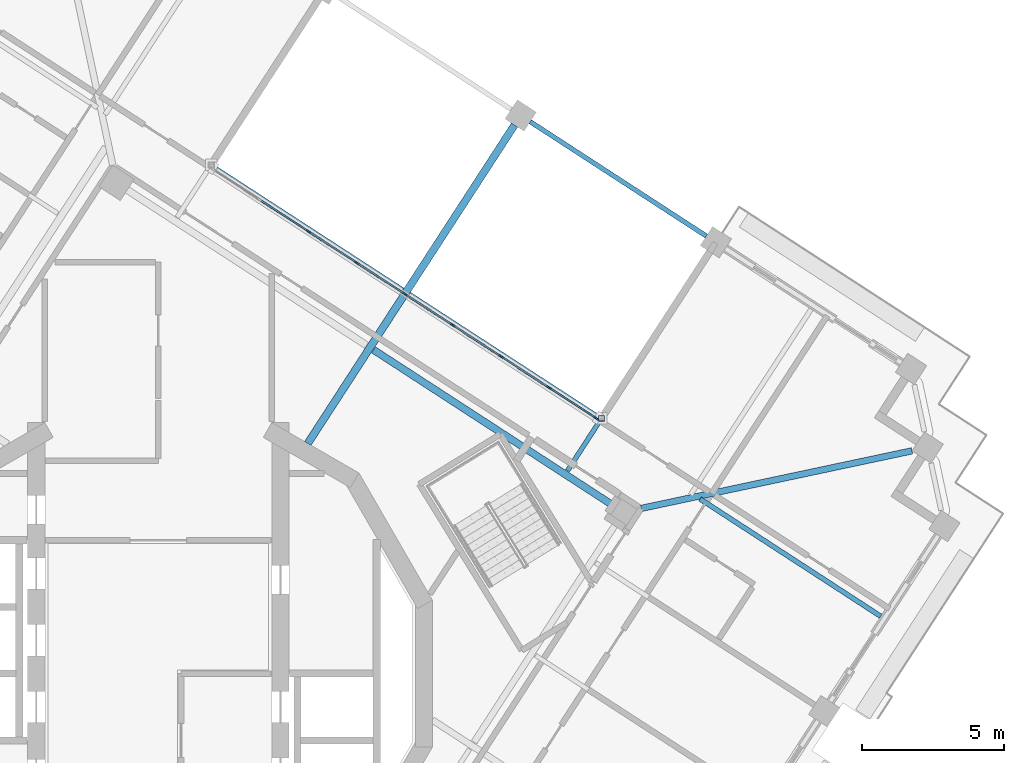
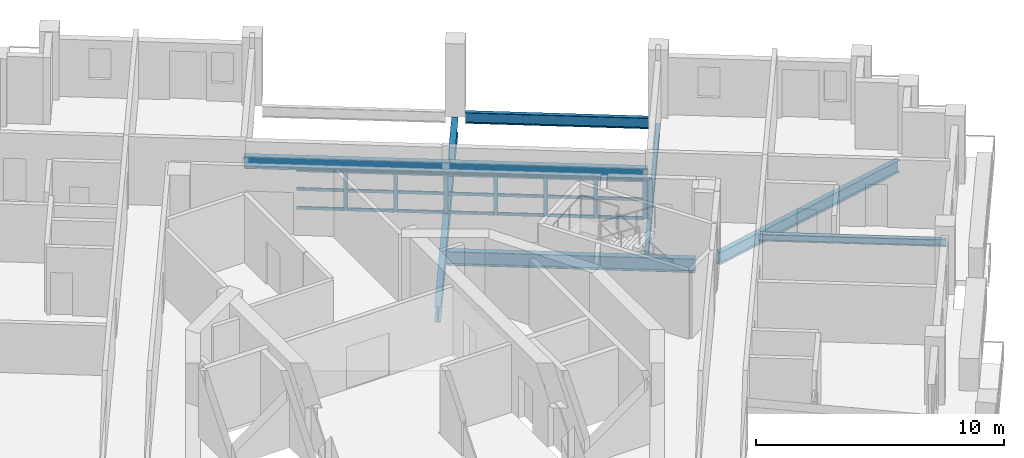
# One storey, part 3 of 17: 29 members, 7 beams, 1 element without a shape of its own.
"""IFC4 building model written with IfcOpenShell, lengths in metres."""

from ifc_helpers import new_model, si_unit, direction, frame, origin, origin_2d, place, context, subcontext, project, spatial, rectangle, hollow_rectangle, i_section, extrude, material, material_profile, profile_set, type_object, element, aggregate, save


model = new_model("IFC4")

# Units and contexts
model_context = context("Model", 3, precision=1e-05, world=origin(), true_north=direction((0.0, 1.0)))
body_context = subcontext(model_context, "Body", "Model", "MODEL_VIEW")
ifc_project = project(units=[si_unit("LENGTHUNIT", "METRE"), si_unit("AREAUNIT", "SQUARE_METRE"), si_unit("VOLUMEUNIT", "CUBIC_METRE"), si_unit("PLANEANGLEUNIT", "RADIAN"), si_unit("MASSUNIT", "GRAM", prefix="KILO")], contexts=[model_context])

# Site, building, storey
site_placement = place(None, origin())
site = spatial("IfcSite", under=ifc_project, at=site_placement, CompositionType="ELEMENT")
building_placement = place(site_placement, origin())
building = spatial("IfcBuilding", under=site, at=building_placement, Name="Cantera Rosa Tower", CompositionType="ELEMENT")
storey_placement = place(building_placement, frame((0.0, 0.0, 275.699951171875)))
storey = spatial("IfcBuildingStorey", under=building, at=storey_placement, Name="L62", CompositionType="ELEMENT", Elevation=275.699951171875)

# Curtain wall, members
ifc_material_1 = material(Name="Aluminium frame with clear glass", Category="aluminium")
curtain_wall_type = type_object("IfcCurtainWallType", Name="CW1 TERRACE POCKET GLAZING", PredefinedType="NOTDEFINED", material=ifc_material_1)
curtain_wall_placement = place(storey_placement, origin())
curtain_wall = element("IfcCurtainWall", 1, at=curtain_wall_placement, inside=storey, type_object=curtain_wall_type, Name="CW1 CW1", PredefinedType="NOTDEFINED")
ifc_material_2 = material(Name="Anodised bronze aluminium", Category="aluminium")
ifc_material_profile_1 = material_profile(ifc_material_2, rectangle(XDim=0.06005859375, YDim=0.179931640625, at=origin_2d()), Name="CW-MULLION 60x180 POCKET")
ifc_profile_set_1 = profile_set([ifc_material_profile_1], Name="Anodised bronze aluminium")
member_type_1 = type_object("IfcMemberType", Name="CW-MULLION 60x180 POCKET", PredefinedType="MULLION", material=ifc_profile_set_1)
member_1_placement = place(storey_placement, frame((15.43408203125, 8.9951171875, 0.0), z_axis=(0.0, 0.0, 1.0), x_axis=(-0.544639034971, -0.838670567974, 0.0)))
member_1 = element("IfcMember", 2, at=member_1_placement, type_object=member_type_1, Name="CW1 mullion 1", PredefinedType="MULLION", context=body_context, shape_type="SweptSolid", body=[
    extrude(rectangle(XDim=0.06005859375, YDim=0.179931640625, at=origin_2d()), origin(), (0.0, 0.0, 1.0), 1.912109375),
])
member_2_placement = place(storey_placement, frame((13.76611328125, 10.078369140625, 0.0), z_axis=(0.0, 0.0, 1.0), x_axis=(-0.544639034971, -0.838670567974, 0.0)))
member_2 = element("IfcMember", 3, at=member_2_placement, type_object=member_type_1, Name="CW1 mullion 2", PredefinedType="MULLION", context=body_context, shape_type="SweptSolid", body=[
    extrude(rectangle(XDim=0.06005859375, YDim=0.179931640625, at=origin_2d()), origin(), (0.0, 0.0, 1.0), 1.912109375),
])
member_3_placement = place(storey_placement, frame((12.0732421875, 11.177734375, 0.0), z_axis=(0.0, 0.0, 1.0), x_axis=(-0.544639034971, -0.838670567974, 0.0)))
member_3 = element("IfcMember", 4, at=member_3_placement, type_object=member_type_1, Name="CW1 mullion 3", PredefinedType="MULLION", context=body_context, shape_type="SweptSolid", body=[
    extrude(rectangle(XDim=0.06005859375, YDim=0.179931640625, at=origin_2d()), origin(), (0.0, 0.0, 1.0), 1.912109375),
])
member_4_placement = place(storey_placement, frame((10.380126953125, 12.27734375, 0.0), z_axis=(0.0, 0.0, 1.0), x_axis=(-0.544639034971, -0.838670567974, 0.0)))
member_4 = element("IfcMember", 5, at=member_4_placement, type_object=member_type_1, Name="CW1 mullion 4", PredefinedType="MULLION", context=body_context, shape_type="SweptSolid", body=[
    extrude(rectangle(XDim=0.06005859375, YDim=0.179931640625, at=origin_2d()), origin(), (0.0, 0.0, 1.0), 1.912109375),
])
member_5_placement = place(storey_placement, frame((8.68701171875, 13.376708984375, 0.0), z_axis=(0.0, 0.0, 1.0), x_axis=(-0.544639034971, -0.838670567974, 0.0)))
member_5 = element("IfcMember", 6, at=member_5_placement, type_object=member_type_1, Name="CW1 mullion 5", PredefinedType="MULLION", context=body_context, shape_type="SweptSolid", body=[
    extrude(rectangle(XDim=0.06005859375, YDim=0.179931640625, at=origin_2d()), origin(), (0.0, 0.0, 1.0), 1.912109375),
])
member_6_placement = place(storey_placement, frame((6.993896484375, 14.476318359375, 0.0), z_axis=(0.0, 0.0, 1.0), x_axis=(-0.544639034971, -0.838670567974, 0.0)))
member_6 = element("IfcMember", 7, at=member_6_placement, type_object=member_type_1, Name="CW1 mullion 6", PredefinedType="MULLION", context=body_context, shape_type="SweptSolid", body=[
    extrude(rectangle(XDim=0.06005859375, YDim=0.179931640625, at=origin_2d()), origin(), (0.0, 0.0, 1.0), 1.912109375),
])
member_7_placement = place(storey_placement, frame((5.30078125, 15.57568359375, 0.0), z_axis=(0.0, 0.0, 1.0), x_axis=(-0.544639034971, -0.838670567974, 0.0)))
member_7 = element("IfcMember", 8, at=member_7_placement, type_object=member_type_1, Name="CW1 mullion 7", PredefinedType="MULLION", context=body_context, shape_type="SweptSolid", body=[
    extrude(rectangle(XDim=0.06005859375, YDim=0.179931640625, at=origin_2d()), origin(), (0.0, 0.0, 1.0), 1.912109375),
])
ifc_material_3 = material(Name="Anodised bronze aluminium", Category="aluminium")
ifc_material_profile_2 = material_profile(ifc_material_3, rectangle(XDim=0.06005859375, YDim=0.139892578125, at=origin_2d()), Name="CW-TRANSOM 60x140 POCKET")
ifc_profile_set_2 = profile_set([ifc_material_profile_2], Name="Anodised bronze aluminium")
member_type_2 = type_object("IfcMemberType", Name="CW-TRANSOM 60x140 POCKET", PredefinedType="USERDEFINED", material=ifc_profile_set_2)
member_8_placement = place(storey_placement, frame((15.408935546875, 9.011474609375, 0.030029296875), z_axis=(-0.838669105951, 0.544641286282, 0.0), x_axis=(-0.544641286282, -0.838669105951, 0.0)))
member_8 = element("IfcMember", 9, at=member_8_placement, type_object=member_type_2, Name="CW1 transom 1.1", ObjectType="TRANSOM", PredefinedType="USERDEFINED", context=body_context, shape_type="SweptSolid", body=[
    extrude(rectangle(XDim=0.06005859375, YDim=0.139892578125, at=origin_2d()), origin(), (0.0, 0.0, 1.0), 1.928955078125),
])
member_9_placement = place(storey_placement, frame((15.408935546875, 9.011474609375, 0.9560546875), z_axis=(-0.838669105951, 0.544641286282, 0.0), x_axis=(-0.544641286282, -0.838669105951, 0.0)))
member_9 = element("IfcMember", 10, at=member_9_placement, type_object=member_type_2, Name="CW1 transom 1.2", ObjectType="TRANSOM", PredefinedType="USERDEFINED", context=body_context, shape_type="SweptSolid", body=[
    extrude(rectangle(XDim=0.06005859375, YDim=0.139892578125, at=origin_2d()), origin(), (0.0, 0.0, 1.0), 1.928955078125),
])
member_10_placement = place(storey_placement, frame((15.408935546875, 9.011474609375, 1.882080078125), z_axis=(-0.838669105951, 0.544641286282, 0.0), x_axis=(-0.544641286282, -0.838669105951, 0.0)))
member_10 = element("IfcMember", 11, at=member_10_placement, type_object=member_type_2, Name="CW1 transom 1.3", ObjectType="TRANSOM", PredefinedType="USERDEFINED", context=body_context, shape_type="SweptSolid", body=[
    extrude(rectangle(XDim=0.06005859375, YDim=0.139892578125, at=origin_2d()), origin(), (0.0, 0.0, 1.0), 1.928955078125),
])
member_11_placement = place(storey_placement, frame((13.740966796875, 10.0947265625, 0.030029296875), z_axis=(-0.838682769082, 0.544620246451, 0.0), x_axis=(-0.544620246451, -0.838682769082, 0.0)))
member_11 = element("IfcMember", 12, at=member_11_placement, type_object=member_type_2, Name="CW1 transom 2.1", ObjectType="TRANSOM", PredefinedType="USERDEFINED", context=body_context, shape_type="SweptSolid", body=[
    extrude(rectangle(XDim=0.06005859375, YDim=0.139892578125, at=origin_2d()), origin(), (0.0, 0.0, 1.0), 1.95849609375),
])
member_12_placement = place(storey_placement, frame((13.740966796875, 10.0947265625, 0.9560546875), z_axis=(-0.838682769082, 0.544620246451, 0.0), x_axis=(-0.544620246451, -0.838682769082, 0.0)))
member_12 = element("IfcMember", 13, at=member_12_placement, type_object=member_type_2, Name="CW1 transom 2.2", ObjectType="TRANSOM", PredefinedType="USERDEFINED", context=body_context, shape_type="SweptSolid", body=[
    extrude(rectangle(XDim=0.06005859375, YDim=0.139892578125, at=origin_2d()), origin(), (0.0, 0.0, 1.0), 1.95849609375),
])
member_13_placement = place(storey_placement, frame((13.740966796875, 10.0947265625, 1.882080078125), z_axis=(-0.838682769082, 0.544620246451, 0.0), x_axis=(-0.544620246451, -0.838682769082, 0.0)))
member_13 = element("IfcMember", 14, at=member_13_placement, type_object=member_type_2, Name="CW1 transom 2.3", ObjectType="TRANSOM", PredefinedType="USERDEFINED", context=body_context, shape_type="SweptSolid", body=[
    extrude(rectangle(XDim=0.06005859375, YDim=0.139892578125, at=origin_2d()), origin(), (0.0, 0.0, 1.0), 1.95849609375),
])
member_14_placement = place(storey_placement, frame((12.0478515625, 11.194091796875, 0.030029296875), z_axis=(-0.83862583023, 0.544707918862, 0.0), x_axis=(-0.544707918862, -0.83862583023, 0.0)))
member_14 = element("IfcMember", 15, at=member_14_placement, type_object=member_type_2, Name="CW1 transom 3.1", ObjectType="TRANSOM", PredefinedType="USERDEFINED", context=body_context, shape_type="SweptSolid", body=[
    extrude(rectangle(XDim=0.06005859375, YDim=0.139892578125, at=origin_2d()), origin(), (0.0, 0.0, 1.0), 1.958740234375),
])
member_15_placement = place(storey_placement, frame((12.0478515625, 11.194091796875, 0.9560546875), z_axis=(-0.83862583023, 0.544707918862, 0.0), x_axis=(-0.544707918862, -0.83862583023, 0.0)))
member_15 = element("IfcMember", 16, at=member_15_placement, type_object=member_type_2, Name="CW1 transom 3.2", ObjectType="TRANSOM", PredefinedType="USERDEFINED", context=body_context, shape_type="SweptSolid", body=[
    extrude(rectangle(XDim=0.06005859375, YDim=0.139892578125, at=origin_2d()), origin(), (0.0, 0.0, 1.0), 1.958740234375),
])
member_16_placement = place(storey_placement, frame((12.0478515625, 11.194091796875, 1.882080078125), z_axis=(-0.83862583023, 0.544707918862, 0.0), x_axis=(-0.544707918862, -0.83862583023, 0.0)))
member_16 = element("IfcMember", 17, at=member_16_placement, type_object=member_type_2, Name="CW1 transom 3.3", ObjectType="TRANSOM", PredefinedType="USERDEFINED", context=body_context, shape_type="SweptSolid", body=[
    extrude(rectangle(XDim=0.06005859375, YDim=0.139892578125, at=origin_2d()), origin(), (0.0, 0.0, 1.0), 1.958740234375),
])
member_17_placement = place(storey_placement, frame((10.35498046875, 12.293701171875, 0.030029296875), z_axis=(-0.838719737529, 0.544563313013, 0.0), x_axis=(-0.544563313013, -0.838719737529, 0.0)))
member_17 = element("IfcMember", 18, at=member_17_placement, type_object=member_type_2, Name="CW1 transom 4.1", ObjectType="TRANSOM", PredefinedType="USERDEFINED", context=body_context, shape_type="SweptSolid", body=[
    extrude(rectangle(XDim=0.06005859375, YDim=0.139892578125, at=origin_2d()), origin(), (0.0, 0.0, 1.0), 1.958740234375),
])
member_18_placement = place(storey_placement, frame((10.35498046875, 12.293701171875, 0.9560546875), z_axis=(-0.838719737529, 0.544563313013, 0.0), x_axis=(-0.544563313013, -0.838719737529, 0.0)))
member_18 = element("IfcMember", 19, at=member_18_placement, type_object=member_type_2, Name="CW1 transom 4.2", ObjectType="TRANSOM", PredefinedType="USERDEFINED", context=body_context, shape_type="SweptSolid", body=[
    extrude(rectangle(XDim=0.06005859375, YDim=0.139892578125, at=origin_2d()), origin(), (0.0, 0.0, 1.0), 1.958740234375),
])
member_19_placement = place(storey_placement, frame((10.35498046875, 12.293701171875, 1.882080078125), z_axis=(-0.838719737529, 0.544563313013, 0.0), x_axis=(-0.544563313013, -0.838719737529, 0.0)))
member_19 = element("IfcMember", 20, at=member_19_placement, type_object=member_type_2, Name="CW1 transom 4.3", ObjectType="TRANSOM", PredefinedType="USERDEFINED", context=body_context, shape_type="SweptSolid", body=[
    extrude(rectangle(XDim=0.06005859375, YDim=0.139892578125, at=origin_2d()), origin(), (0.0, 0.0, 1.0), 1.958740234375),
])
member_20_placement = place(storey_placement, frame((8.661865234375, 13.39306640625, 0.030029296875), z_axis=(-0.83866280807, 0.544650983989, 0.0), x_axis=(-0.544650983989, -0.83866280807, 0.0)))
member_20 = element("IfcMember", 21, at=member_20_placement, type_object=member_type_2, Name="CW1 transom 5.1", ObjectType="TRANSOM", PredefinedType="USERDEFINED", context=body_context, shape_type="SweptSolid", body=[
    extrude(rectangle(XDim=0.06005859375, YDim=0.139892578125, at=origin_2d()), origin(), (0.0, 0.0, 1.0), 1.958740234375),
])
member_21_placement = place(storey_placement, frame((8.661865234375, 13.39306640625, 0.9560546875), z_axis=(-0.83866280807, 0.544650983989, 0.0), x_axis=(-0.544650983989, -0.83866280807, 0.0)))
member_21 = element("IfcMember", 22, at=member_21_placement, type_object=member_type_2, Name="CW1 transom 5.2", ObjectType="TRANSOM", PredefinedType="USERDEFINED", context=body_context, shape_type="SweptSolid", body=[
    extrude(rectangle(XDim=0.06005859375, YDim=0.139892578125, at=origin_2d()), origin(), (0.0, 0.0, 1.0), 1.958740234375),
])
member_22_placement = place(storey_placement, frame((8.661865234375, 13.39306640625, 1.882080078125), z_axis=(-0.83866280807, 0.544650983989, 0.0), x_axis=(-0.544650983989, -0.83866280807, 0.0)))
member_22 = element("IfcMember", 23, at=member_22_placement, type_object=member_type_2, Name="CW1 transom 5.3", ObjectType="TRANSOM", PredefinedType="USERDEFINED", context=body_context, shape_type="SweptSolid", body=[
    extrude(rectangle(XDim=0.06005859375, YDim=0.139892578125, at=origin_2d()), origin(), (0.0, 0.0, 1.0), 1.958740234375),
])
member_23_placement = place(storey_placement, frame((6.96875, 14.49267578125, 0.030029296875), z_axis=(-0.838719737529, 0.544563313013, 0.0), x_axis=(-0.544563313013, -0.838719737529, 0.0)))
member_23 = element("IfcMember", 24, at=member_23_placement, type_object=member_type_2, Name="CW1 transom 6.1", ObjectType="TRANSOM", PredefinedType="USERDEFINED", context=body_context, shape_type="SweptSolid", body=[
    extrude(rectangle(XDim=0.06005859375, YDim=0.139892578125, at=origin_2d()), origin(), (0.0, 0.0, 1.0), 1.958740234375),
])
member_24_placement = place(storey_placement, frame((6.96875, 14.49267578125, 0.9560546875), z_axis=(-0.838719737529, 0.544563313013, 0.0), x_axis=(-0.544563313013, -0.838719737529, 0.0)))
member_24 = element("IfcMember", 25, at=member_24_placement, type_object=member_type_2, Name="CW1 transom 6.2", ObjectType="TRANSOM", PredefinedType="USERDEFINED", context=body_context, shape_type="SweptSolid", body=[
    extrude(rectangle(XDim=0.06005859375, YDim=0.139892578125, at=origin_2d()), origin(), (0.0, 0.0, 1.0), 1.958740234375),
])
member_25_placement = place(storey_placement, frame((6.96875, 14.49267578125, 1.882080078125), z_axis=(-0.838719737529, 0.544563313013, 0.0), x_axis=(-0.544563313013, -0.838719737529, 0.0)))
member_25 = element("IfcMember", 26, at=member_25_placement, type_object=member_type_2, Name="CW1 transom 6.3", ObjectType="TRANSOM", PredefinedType="USERDEFINED", context=body_context, shape_type="SweptSolid", body=[
    extrude(rectangle(XDim=0.06005859375, YDim=0.139892578125, at=origin_2d()), origin(), (0.0, 0.0, 1.0), 1.958740234375),
])
member_26_placement = place(storey_placement, frame((5.275634765625, 15.592041015625, 0.030029296875), z_axis=(-0.83862583023, 0.544707918862, 0.0), x_axis=(-0.544707918862, -0.83862583023, 0.0)))
member_26 = element("IfcMember", 27, at=member_26_placement, type_object=member_type_2, Name="CW1 transom 7.1", ObjectType="TRANSOM", PredefinedType="USERDEFINED", context=body_context, shape_type="SweptSolid", body=[
    extrude(rectangle(XDim=0.06005859375, YDim=0.139892578125, at=origin_2d()), origin(), (0.0, 0.0, 1.0), 1.958740234375),
])
member_27_placement = place(storey_placement, frame((5.275634765625, 15.592041015625, 0.9560546875), z_axis=(-0.83862583023, 0.544707918862, 0.0), x_axis=(-0.544707918862, -0.83862583023, 0.0)))
member_27 = element("IfcMember", 28, at=member_27_placement, type_object=member_type_2, Name="CW1 transom 7.2", ObjectType="TRANSOM", PredefinedType="USERDEFINED", context=body_context, shape_type="SweptSolid", body=[
    extrude(rectangle(XDim=0.06005859375, YDim=0.139892578125, at=origin_2d()), origin(), (0.0, 0.0, 1.0), 1.958740234375),
])
member_28_placement = place(storey_placement, frame((5.275634765625, 15.592041015625, 1.882080078125), z_axis=(-0.83862583023, 0.544707918862, 0.0), x_axis=(-0.544707918862, -0.83862583023, 0.0)))
member_28 = element("IfcMember", 29, at=member_28_placement, type_object=member_type_2, Name="CW1 transom 7.3", ObjectType="TRANSOM", PredefinedType="USERDEFINED", context=body_context, shape_type="SweptSolid", body=[
    extrude(rectangle(XDim=0.06005859375, YDim=0.139892578125, at=origin_2d()), origin(), (0.0, 0.0, 1.0), 1.958740234375),
])
aggregate(curtain_wall, [member_1, member_2, member_3, member_4, member_5, member_6, member_7, member_8, member_9, member_10, member_11, member_12, member_13, member_14, member_15, member_16, member_17, member_18, member_19, member_20, member_21, member_22, member_23, member_24, member_25, member_26, member_27, member_28])

# Member
ifc_material_4 = material(Name="Steel ASTM A992 (Fy 345 MPa)", Category="steel")
ifc_material_profile_3 = material_profile(ifc_material_4, hollow_rectangle(XDim=0.199951171875, YDim=0.199951171875, WallThickness=0.010009765625, at=origin_2d()), Name="LINTEL POST RHS 200x200x10")
ifc_profile_set_3 = profile_set([ifc_material_profile_3], Name="Steel ASTM A992 (Fy 345 MPa)")
member_type_3 = type_object("IfcMemberType", Name="LINTEL POST RHS 200x200x10", PredefinedType="USERDEFINED", material=ifc_profile_set_3)
member_29_placement = place(storey_placement, frame((15.61865234375, 8.99462890625, 0.0), z_axis=(0.0, 0.0, 1.0), x_axis=(1.0, 0.0, 0.0)))
element("IfcMember", 30, at=member_29_placement, inside=storey, type_object=member_type_3, Name="LINTEL POST L62-1", ObjectType="LINTEL POST", PredefinedType="USERDEFINED", context=body_context, shape_type="SweptSolid", body=[
    extrude(hollow_rectangle(XDim=0.199951171875, YDim=0.199951171875, WallThickness=0.010009765625, at=origin_2d()), origin(), (0.0, 0.0, 1.0), 1.9140625),
])

# Beams
ifc_material_5 = material(Name="Steel ASTM A992 (Fy 345 MPa)", Category="steel")
ifc_material_profile_4 = material_profile(ifc_material_5, i_section(OverallWidth=0.166015625, OverallDepth=0.528076171875, WebThickness=0.009765625, FlangeThickness=0.013671875, FilletRadius=0.0126953125, at=origin_2d()), Name="W530X74")
ifc_profile_set_4 = profile_set([ifc_material_profile_4], Name="Steel ASTM A992 (Fy 345 MPa)")
beam_type_1 = type_object("IfcBeamType", Name="STEEL BEAM W530X74", PredefinedType="BEAM", material=ifc_profile_set_4)
beam_1_placement = place(storey_placement, frame((19.430908203125, 14.865234375, -0.513916015625), z_axis=(-0.544634776066, -0.838673333724, 0.0), x_axis=(0.838673333724, -0.544634776066, 0.0)))
element("IfcBeam", 31, at=beam_1_placement, inside=storey, type_object=beam_type_1, Name="G-Z5-01 L62", PredefinedType="BEAM", context=body_context, shape_type="SweptSolid", body=[
    extrude(i_section(OverallWidth=0.166015625, OverallDepth=0.528076171875, WebThickness=0.009765625, FlangeThickness=0.013671875, FilletRadius=0.0126953125, at=origin_2d()), origin(), (0.0, 0.0, 1.0), 9.19970703125),
])
ifc_material_6 = material(Name="Steel ASTM A992 (Fy 345 MPa)", Category="steel")
ifc_material_profile_5 = material_profile(ifc_material_6, i_section(OverallWidth=0.22802734375, OverallDepth=0.60205078125, WebThickness=0.010498046875, FlangeThickness=0.014892578125, FilletRadius=0.0126953125, at=origin_2d()), Name="W610X101")
ifc_profile_set_5 = profile_set([ifc_material_profile_5], Name="Steel ASTM A992 (Fy 345 MPa)")
beam_type_2 = type_object("IfcBeamType", Name="STEEL BEAM W610X101", PredefinedType="BEAM", material=ifc_profile_set_5)
beam_2_placement = place(storey_placement, frame((26.560791015625, 7.8505859375, -0.551025390625), z_axis=(-0.978148167214, -0.20790902572, 0.0), x_axis=(0.20790902572, -0.978148167214, 0.0)))
element("IfcBeam", 32, at=beam_2_placement, inside=storey, type_object=beam_type_2, Name="CB-Z5-04 L62", PredefinedType="BEAM", context=body_context, shape_type="SweptSolid", body=[
    extrude(i_section(OverallWidth=0.22802734375, OverallDepth=0.60205078125, WebThickness=0.010498046875, FlangeThickness=0.014892578125, FilletRadius=0.0126953125, at=origin_2d()), origin(), (0.0, 0.0, 1.0), 9.758056640625),
])
beam_3_placement = place(storey_placement, frame((15.54931640625, 8.97998046875, 2.215087890625), z_axis=(-0.838672479255, 0.544636091845, 0.0), x_axis=(-0.544636091845, -0.838672479255, 0.0)))
element("IfcBeam", 33, at=beam_3_placement, inside=storey, type_object=beam_type_2, Name="LINTEL SL-L62", PredefinedType="BEAM", context=body_context, shape_type="SweptSolid", body=[
    extrude(i_section(OverallWidth=0.22802734375, OverallDepth=0.60205078125, WebThickness=0.010498046875, FlangeThickness=0.014892578125, FilletRadius=0.0126953125, at=origin_2d()), origin(), (0.0, 0.0, 1.0), 16.2998046875),
])
ifc_material_7 = material(Name="Steel ASTM A992 (Fy 345 MPa)", Category="steel")
ifc_material_profile_6 = material_profile(ifc_material_7, i_section(OverallWidth=0.25390625, OverallDepth=0.677978515625, WebThickness=0.01171875, FlangeThickness=0.016357421875, FilletRadius=0.01513671875, at=origin_2d()), Name="W690X125")
ifc_profile_set_6 = profile_set([ifc_material_profile_6], Name="Steel ASTM A992 (Fy 345 MPa)")
beam_type_3 = type_object("IfcBeamType", Name="STEEL BEAM W690X125", PredefinedType="BEAM", material=ifc_profile_set_6)
beam_4_placement = place(storey_placement, frame((16.01611328125, 5.9345703125, -0.5888671875), z_axis=(-0.838672207367, 0.544636510519, 0.0), x_axis=(-0.544636510519, -0.838672207367, 0.0)))
element("IfcBeam", 34, at=beam_4_placement, inside=storey, type_object=beam_type_3, Name="RB-Z5-07 L62", PredefinedType="BEAM", context=body_context, shape_type="SweptSolid", body=[
    extrude(i_section(OverallWidth=0.25390625, OverallDepth=0.677978515625, WebThickness=0.01171875, FlangeThickness=0.016357421875, FilletRadius=0.01513671875, at=origin_2d()), origin(), (0.0, 0.0, 1.0), 10.050048828125),
])
ifc_material_8 = material(Name="Steel ASTM A992 (Fy 345 MPa)", Category="steel")
ifc_material_profile_7 = material_profile(ifc_material_8, i_section(OverallWidth=0.26708984375, OverallDepth=0.75390625, WebThickness=0.01318359375, FlangeThickness=0.01708984375, FilletRadius=0.0166015625, at=origin_2d()), Name="W760X147")
ifc_profile_set_7 = profile_set([ifc_material_profile_7], Name="Steel ASTM A992 (Fy 345 MPa)")
beam_type_4 = type_object("IfcBeamType", Name="STEEL BEAM W760X147", PredefinedType="BEAM", material=ifc_profile_set_7)
beam_5_placement = place(storey_placement, frame((12.553955078125, 19.331298828125, -0.626953125), z_axis=(-0.54464061985, -0.838669538739, 0.0), x_axis=(0.838669538739, -0.54464061985, 0.0)))
element("IfcBeam", 35, at=beam_5_placement, inside=storey, type_object=beam_type_4, Name="G-Z5-02 L62", PredefinedType="BEAM", context=body_context, shape_type="SweptSolid", body=[
    extrude(i_section(OverallWidth=0.26708984375, OverallDepth=0.75390625, WebThickness=0.01318359375, FlangeThickness=0.01708984375, FilletRadius=0.0166015625, at=origin_2d()), origin(), (0.0, 0.0, 1.0), 13.37744140625),
])
ifc_material_9 = material(Name="Steel ASTM A992 (Fy 345 MPa)", Category="steel")
ifc_material_profile_8 = material_profile(ifc_material_9, i_section(OverallWidth=0.1708984375, OverallDepth=0.35595703125, WebThickness=0.00732421875, FlangeThickness=0.01171875, FilletRadius=0.010009765625, at=origin_2d()), Name="W360X51")
ifc_profile_set_8 = profile_set([ifc_material_profile_8], Name="Steel ASTM A992 (Fy 345 MPa)")
beam_type_5 = type_object("IfcBeamType", Name="STEEL JOIST W360X51", PredefinedType="JOIST", material=ifc_profile_set_8)
beam_6_placement = place(storey_placement, frame((25.457763671875, 2.020751953125, -0.427978515625), z_axis=(-0.838680170462, 0.54462424815, 0.0), x_axis=(-0.54462424815, -0.838680170462, 0.0)))
element("IfcBeam", 36, at=beam_6_placement, inside=storey, type_object=beam_type_5, Name="B-Z5-14 L62", PredefinedType="JOIST", context=body_context, shape_type="SweptSolid", body=[
    extrude(i_section(OverallWidth=0.1708984375, OverallDepth=0.35595703125, WebThickness=0.00732421875, FlangeThickness=0.01171875, FilletRadius=0.010009765625, at=origin_2d()), origin(), (0.0, 0.0, 1.0), 7.590087890625),
])
ifc_material_10 = material(Name="Steel ASTM A992 (Fy 345 MPa)", Category="steel")
ifc_material_profile_9 = material_profile(ifc_material_10, i_section(OverallWidth=0.166015625, OverallDepth=0.528076171875, WebThickness=0.009765625, FlangeThickness=0.013671875, FilletRadius=0.0126953125, at=origin_2d()), Name="W530X74")
ifc_profile_set_9 = profile_set([ifc_material_profile_9], Name="Steel ASTM A992 (Fy 345 MPa)")
beam_type_6 = type_object("IfcBeamType", Name="STEEL SPANDREL BEAM W530X74", PredefinedType="SPANDREL", material=ifc_profile_set_9)
beam_7_placement = place(storey_placement, frame((19.3134765625, 15.418701171875, -0.513916015625), z_axis=(-0.838679465365, 0.544625333946, 0.0), x_axis=(-0.544625333946, -0.838679465365, 0.0)))
element("IfcBeam", 37, at=beam_7_placement, inside=storey, type_object=beam_type_6, Name="EB-Z5-02 L62", PredefinedType="SPANDREL", context=body_context, shape_type="SweptSolid", body=[
    extrude(i_section(OverallWidth=0.166015625, OverallDepth=0.528076171875, WebThickness=0.009765625, FlangeThickness=0.013671875, FilletRadius=0.0126953125, at=origin_2d()), origin(), (0.0, 0.0, 1.0), 7.400146484375),
])

save(model, "model.ifc")
